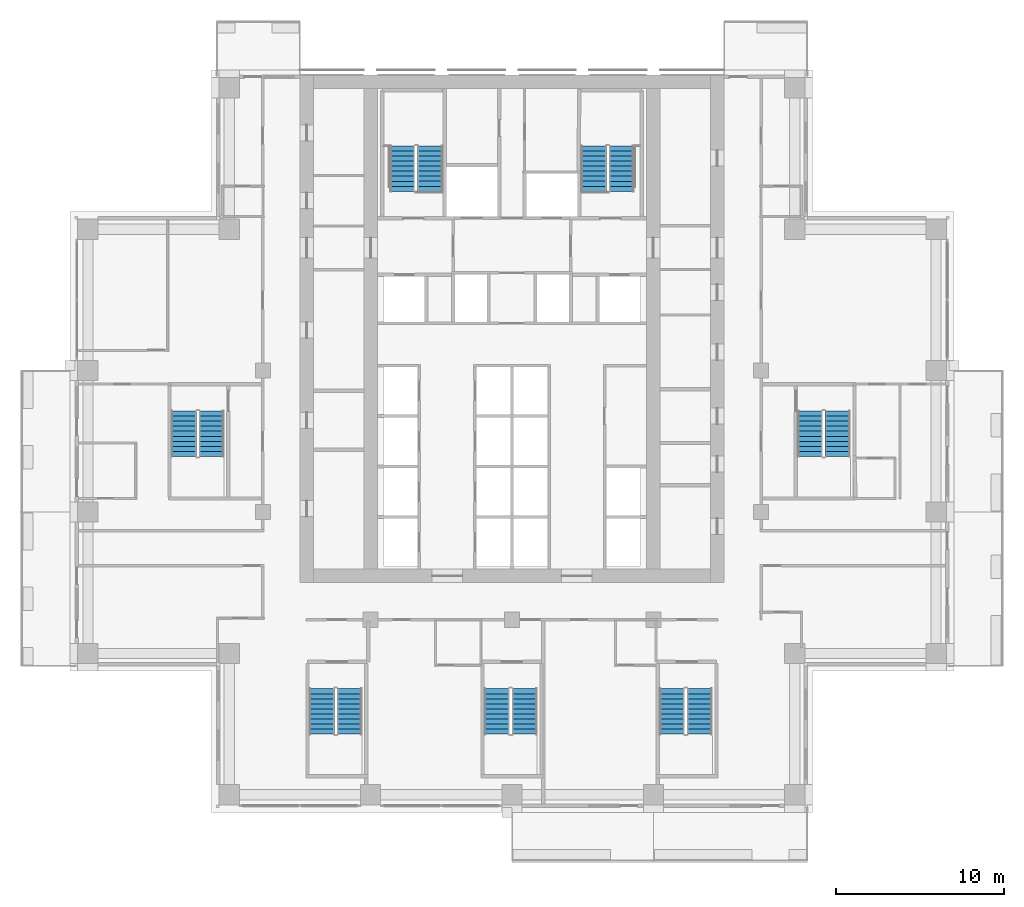
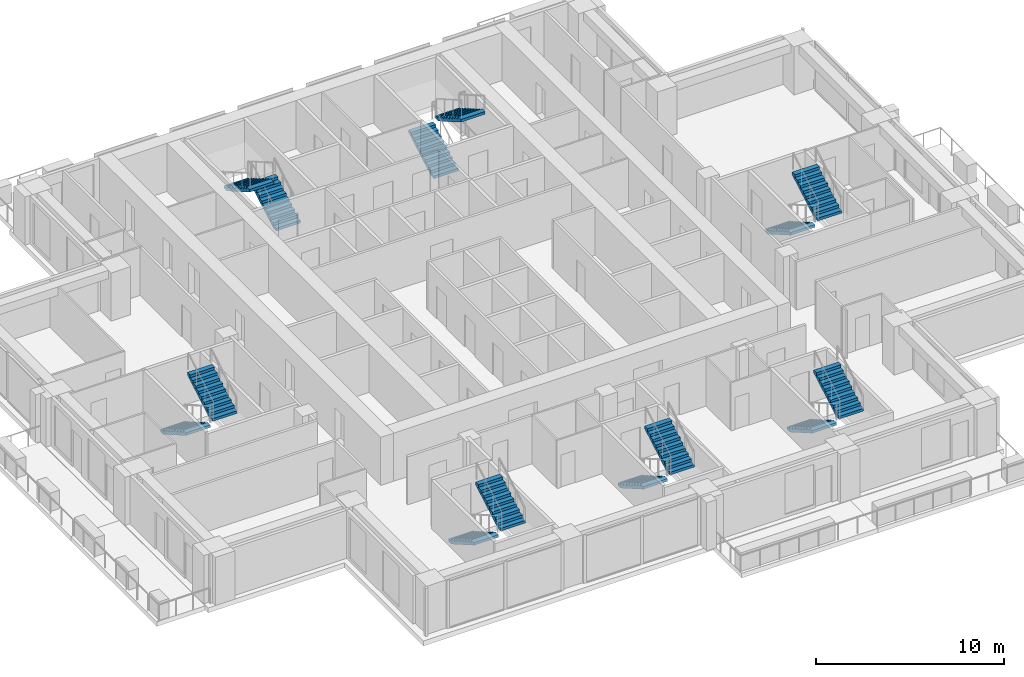
# One storey, part 14 of 18: 14 stair flights, 7 elements without a shape of their own.
"""IFC4 building model written with IfcOpenShell, lengths in metres."""

from ifc_helpers import new_model, si_unit, direction, frame, origin, place, context, subcontext, project, spatial, polyline, outline, extrude, material, type_object, element, aggregate, save


model = new_model("IFC4")

# Units and contexts
model_context = context("Model", 3, precision=1e-05, world=origin(), true_north=direction((0.0, 1.0)))
body_context = subcontext(model_context, "Body", "Model", "MODEL_VIEW")
ifc_project = project(units=[si_unit("LENGTHUNIT", "METRE"), si_unit("AREAUNIT", "SQUARE_METRE"), si_unit("VOLUMEUNIT", "CUBIC_METRE"), si_unit("PLANEANGLEUNIT", "RADIAN"), si_unit("MASSUNIT", "GRAM", prefix="KILO")], contexts=[model_context])

# Site, building, storey
site_placement = place(None, origin())
site = spatial("IfcSite", under=ifc_project, at=site_placement, CompositionType="ELEMENT")
building_placement = place(site_placement, origin())
building = spatial("IfcBuilding", under=site, at=building_placement, Name="Vermilion Ogive Tower", CompositionType="ELEMENT")
storey_placement = place(building_placement, frame((0.0, 0.0, 108.0)))
storey = spatial("IfcBuildingStorey", under=building, at=storey_placement, Name="L27", CompositionType="ELEMENT", Elevation=108.0)

# Stair, stair flights
ifc_material_1 = material(Name="Concrete B40", Category="concrete")
stair_type = type_object("IfcStairType", Name="Exit stair 1500", PredefinedType="HALF_TURN_STAIR", material=ifc_material_1)
stair_1_placement = place(storey_placement, origin())
stair_1 = element("IfcStair", 1, at=stair_1_placement, inside=storey, type_object=stair_type, Name="L27 Exit Stair ST1", PredefinedType="HALF_TURN_STAIR")
ifc_material_2 = material(Name="Concrete B40", Category="concrete")
stair_flight_type = type_object("IfcStairFlightType", Name="Stair flight 1500", PredefinedType="STRAIGHT", material=ifc_material_2)
stair_flight_1_placement = place(storey_placement, frame((-4.85009765625, 14.85009765625, 0.0), z_axis=(0.0, 0.0, 1.0), x_axis=(0.0, 1.0, 0.0)))
stair_flight_1 = element("IfcStairFlight", 2, at=stair_flight_1_placement, type_object=stair_flight_type, Name="ST1 flight 1", NumberOfRisers=10, NumberOfTreads=9, PredefinedType="STRAIGHT", RiserHeight=0.1725, TreadLength=0.3, context=body_context, shape_type="SweptSolid", body=[
    extrude(outline(polyline([(0.0, 0.0), (0.0, 0.172607421875), (0.300048828125, 0.172607421875), (0.300048828125, 0.344970703125), (0.60009765625, 0.344970703125), (0.60009765625, 0.517578125), (0.89990234375, 0.517578125), (0.89990234375, 0.68994140625), (1.199951171875, 0.68994140625), (1.199951171875, 0.862548828125), (1.5, 0.862548828125), (1.5, 1.034912109375), (1.800048828125, 1.034912109375), (1.800048828125, 1.20751953125), (2.10009765625, 1.20751953125), (2.10009765625, 1.3798828125), (2.39990234375, 1.3798828125), (2.39990234375, 1.552490234375), (2.699951171875, 1.552490234375), (2.699951171875, 1.72509765625), (2.699951171875, 1.379638671875), (0.30078125, 0.0), (0.0, 0.0)])), frame((0.0, 0.75, 0.0), z_axis=(0.0, -1.0, 0.0), x_axis=(1.0, 0.0, 0.0)), (0.0, 0.0, 1.0), 1.5),
])
stair_flight_2_placement = place(storey_placement, frame((-6.5, 17.550048828125, 1.72509765625), z_axis=(0.0, 0.0, 1.0), x_axis=(0.0, -1.0, 0.0)))
stair_flight_2 = element("IfcStairFlight", 3, at=stair_flight_2_placement, type_object=stair_flight_type, Name="ST1 flight 2", NumberOfRisers=10, NumberOfTreads=9, PredefinedType="STRAIGHT", RiserHeight=0.1725, TreadLength=0.3, context=body_context, shape_type="SweptSolid", body=[
    extrude(outline(polyline([(0.0, 0.0), (0.0, 0.172607421875), (0.300048828125, 0.172607421875), (0.300048828125, 0.344970703125), (0.60009765625, 0.344970703125), (0.60009765625, 0.517578125), (0.89990234375, 0.517578125), (0.89990234375, 0.68994140625), (1.199951171875, 0.68994140625), (1.199951171875, 0.862548828125), (1.5, 0.862548828125), (1.5, 1.034912109375), (1.800048828125, 1.034912109375), (1.800048828125, 1.20751953125), (2.10009765625, 1.20751953125), (2.10009765625, 1.3798828125), (2.39990234375, 1.3798828125), (2.39990234375, 1.552490234375), (2.699951171875, 1.552490234375), (2.699951171875, 1.72509765625), (2.699951171875, 1.379638671875), (0.30078125, 0.0), (0.0, 0.0)])), frame((0.0, 0.75, 0.0), z_axis=(0.0, -1.0, 0.0), x_axis=(1.0, 0.0, 0.0)), (0.0, 0.0, 1.0), 1.5),
])
aggregate(stair_1, [stair_flight_1, stair_flight_2])

stair_2_placement = place(storey_placement, origin())
stair_2 = element("IfcStair", 4, at=stair_2_placement, inside=storey, type_object=stair_type, Name="L27 Exit Stair ST2", PredefinedType="HALF_TURN_STAIR")
stair_flight_3_placement = place(storey_placement, frame((4.85009765625, 14.85009765625, 0.0), z_axis=(0.0, 0.0, 1.0), x_axis=(0.0, 1.0, 0.0)))
stair_flight_3 = element("IfcStairFlight", 5, at=stair_flight_3_placement, type_object=stair_flight_type, Name="ST2 flight 1", NumberOfRisers=10, NumberOfTreads=9, PredefinedType="STRAIGHT", RiserHeight=0.1725, TreadLength=0.3, context=body_context, shape_type="SweptSolid", body=[
    extrude(outline(polyline([(0.0, 0.0), (0.0, 0.172607421875), (0.300048828125, 0.172607421875), (0.300048828125, 0.344970703125), (0.60009765625, 0.344970703125), (0.60009765625, 0.517578125), (0.89990234375, 0.517578125), (0.89990234375, 0.68994140625), (1.199951171875, 0.68994140625), (1.199951171875, 0.862548828125), (1.5, 0.862548828125), (1.5, 1.034912109375), (1.800048828125, 1.034912109375), (1.800048828125, 1.20751953125), (2.10009765625, 1.20751953125), (2.10009765625, 1.3798828125), (2.39990234375, 1.3798828125), (2.39990234375, 1.552490234375), (2.699951171875, 1.552490234375), (2.699951171875, 1.72509765625), (2.699951171875, 1.379638671875), (0.30078125, 0.0), (0.0, 0.0)])), frame((0.0, 0.75, 0.0), z_axis=(0.0, -1.0, 0.0), x_axis=(1.0, 0.0, 0.0)), (0.0, 0.0, 1.0), 1.5),
])
stair_flight_4_placement = place(storey_placement, frame((6.5, 17.550048828125, 1.72509765625), z_axis=(0.0, 0.0, 1.0), x_axis=(0.0, -1.0, 0.0)))
stair_flight_4 = element("IfcStairFlight", 6, at=stair_flight_4_placement, type_object=stair_flight_type, Name="ST2 flight 2", NumberOfRisers=10, NumberOfTreads=9, PredefinedType="STRAIGHT", RiserHeight=0.1725, TreadLength=0.3, context=body_context, shape_type="SweptSolid", body=[
    extrude(outline(polyline([(0.0, 0.0), (0.0, 0.172607421875), (0.300048828125, 0.172607421875), (0.300048828125, 0.344970703125), (0.60009765625, 0.344970703125), (0.60009765625, 0.517578125), (0.89990234375, 0.517578125), (0.89990234375, 0.68994140625), (1.199951171875, 0.68994140625), (1.199951171875, 0.862548828125), (1.5, 0.862548828125), (1.5, 1.034912109375), (1.800048828125, 1.034912109375), (1.800048828125, 1.20751953125), (2.10009765625, 1.20751953125), (2.10009765625, 1.3798828125), (2.39990234375, 1.3798828125), (2.39990234375, 1.552490234375), (2.699951171875, 1.552490234375), (2.699951171875, 1.72509765625), (2.699951171875, 1.379638671875), (0.30078125, 0.0), (0.0, 0.0)])), frame((0.0, 0.75, 0.0), z_axis=(0.0, -1.0, 0.0), x_axis=(1.0, 0.0, 0.0)), (0.0, 0.0, 1.0), 1.5),
])
aggregate(stair_2, [stair_flight_3, stair_flight_4])

stair_3_placement = place(storey_placement, origin())
stair_3 = element("IfcStair", 7, at=stair_3_placement, inside=storey, type_object=stair_type, Name="L27 Exit Stair ST3", PredefinedType="HALF_TURN_STAIR")
stair_flight_5_placement = place(storey_placement, frame((-11.300048828125, -14.699951171875, 0.0), z_axis=(0.0, 0.0, 1.0), x_axis=(0.0, -1.0, 0.0)))
stair_flight_5 = element("IfcStairFlight", 8, at=stair_flight_5_placement, type_object=stair_flight_type, Name="ST3 flight 1", NumberOfRisers=10, NumberOfTreads=9, PredefinedType="STRAIGHT", RiserHeight=0.1725, TreadLength=0.3, context=body_context, shape_type="SweptSolid", body=[
    extrude(outline(polyline([(0.0, 0.0), (0.0, 0.172607421875), (0.300048828125, 0.172607421875), (0.300048828125, 0.344970703125), (0.60009765625, 0.344970703125), (0.60009765625, 0.517578125), (0.89990234375, 0.517578125), (0.89990234375, 0.68994140625), (1.199951171875, 0.68994140625), (1.199951171875, 0.862548828125), (1.5, 0.862548828125), (1.5, 1.034912109375), (1.800048828125, 1.034912109375), (1.800048828125, 1.20751953125), (2.10009765625, 1.20751953125), (2.10009765625, 1.3798828125), (2.39990234375, 1.3798828125), (2.39990234375, 1.552490234375), (2.699951171875, 1.552490234375), (2.699951171875, 1.72509765625), (2.699951171875, 1.379638671875), (0.30078125, 0.0), (0.0, 0.0)])), frame((0.0, 0.75, 0.0), z_axis=(0.0, -1.0, 0.0), x_axis=(1.0, 0.0, 0.0)), (0.0, 0.0, 1.0), 1.5),
])
stair_flight_6_placement = place(storey_placement, frame((-9.64990234375, -17.39990234375, 1.72509765625), z_axis=(0.0, 0.0, 1.0), x_axis=(0.0, 1.0, 0.0)))
stair_flight_6 = element("IfcStairFlight", 9, at=stair_flight_6_placement, type_object=stair_flight_type, Name="ST3 flight 2", NumberOfRisers=10, NumberOfTreads=9, PredefinedType="STRAIGHT", RiserHeight=0.1725, TreadLength=0.3, context=body_context, shape_type="SweptSolid", body=[
    extrude(outline(polyline([(0.0, 0.0), (0.0, 0.172607421875), (0.300048828125, 0.172607421875), (0.300048828125, 0.344970703125), (0.60009765625, 0.344970703125), (0.60009765625, 0.517578125), (0.89990234375, 0.517578125), (0.89990234375, 0.68994140625), (1.199951171875, 0.68994140625), (1.199951171875, 0.862548828125), (1.5, 0.862548828125), (1.5, 1.034912109375), (1.800048828125, 1.034912109375), (1.800048828125, 1.20751953125), (2.10009765625, 1.20751953125), (2.10009765625, 1.3798828125), (2.39990234375, 1.3798828125), (2.39990234375, 1.552490234375), (2.699951171875, 1.552490234375), (2.699951171875, 1.72509765625), (2.699951171875, 1.379638671875), (0.30078125, 0.0), (0.0, 0.0)])), frame((0.0, 0.75, 0.0), z_axis=(0.0, -1.0, 0.0), x_axis=(1.0, 0.0, 0.0)), (0.0, 0.0, 1.0), 1.5),
])
aggregate(stair_3, [stair_flight_5, stair_flight_6])

stair_4_placement = place(storey_placement, origin())
stair_4 = element("IfcStair", 10, at=stair_4_placement, inside=storey, type_object=stair_type, Name="L27 Exit Stair ST4", PredefinedType="HALF_TURN_STAIR")
stair_flight_7_placement = place(storey_placement, frame((-0.89990234375, -14.699951171875, 0.0), z_axis=(0.0, 0.0, 1.0), x_axis=(0.0, -1.0, 0.0)))
stair_flight_7 = element("IfcStairFlight", 11, at=stair_flight_7_placement, type_object=stair_flight_type, Name="ST4 flight 1", NumberOfRisers=10, NumberOfTreads=9, PredefinedType="STRAIGHT", RiserHeight=0.1725, TreadLength=0.3, context=body_context, shape_type="SweptSolid", body=[
    extrude(outline(polyline([(0.0, 0.0), (0.0, 0.172607421875), (0.300048828125, 0.172607421875), (0.300048828125, 0.344970703125), (0.60009765625, 0.344970703125), (0.60009765625, 0.517578125), (0.89990234375, 0.517578125), (0.89990234375, 0.68994140625), (1.199951171875, 0.68994140625), (1.199951171875, 0.862548828125), (1.5, 0.862548828125), (1.5, 1.034912109375), (1.800048828125, 1.034912109375), (1.800048828125, 1.20751953125), (2.10009765625, 1.20751953125), (2.10009765625, 1.3798828125), (2.39990234375, 1.3798828125), (2.39990234375, 1.552490234375), (2.699951171875, 1.552490234375), (2.699951171875, 1.72509765625), (2.699951171875, 1.379638671875), (0.30078125, 0.0), (0.0, 0.0)])), frame((0.0, 0.75, 0.0), z_axis=(0.0, -1.0, 0.0), x_axis=(1.0, 0.0, 0.0)), (0.0, 0.0, 1.0), 1.5),
])
stair_flight_8_placement = place(storey_placement, frame((0.75, -17.39990234375, 1.72509765625), z_axis=(0.0, 0.0, 1.0), x_axis=(0.0, 1.0, 0.0)))
stair_flight_8 = element("IfcStairFlight", 12, at=stair_flight_8_placement, type_object=stair_flight_type, Name="ST4 flight 2", NumberOfRisers=10, NumberOfTreads=9, PredefinedType="STRAIGHT", RiserHeight=0.1725, TreadLength=0.3, context=body_context, shape_type="SweptSolid", body=[
    extrude(outline(polyline([(0.0, 0.0), (0.0, 0.172607421875), (0.300048828125, 0.172607421875), (0.300048828125, 0.344970703125), (0.60009765625, 0.344970703125), (0.60009765625, 0.517578125), (0.89990234375, 0.517578125), (0.89990234375, 0.68994140625), (1.199951171875, 0.68994140625), (1.199951171875, 0.862548828125), (1.5, 0.862548828125), (1.5, 1.034912109375), (1.800048828125, 1.034912109375), (1.800048828125, 1.20751953125), (2.10009765625, 1.20751953125), (2.10009765625, 1.3798828125), (2.39990234375, 1.3798828125), (2.39990234375, 1.552490234375), (2.699951171875, 1.552490234375), (2.699951171875, 1.72509765625), (2.699951171875, 1.379638671875), (0.30078125, 0.0), (0.0, 0.0)])), frame((0.0, 0.75, 0.0), z_axis=(0.0, -1.0, 0.0), x_axis=(1.0, 0.0, 0.0)), (0.0, 0.0, 1.0), 1.5),
])
aggregate(stair_4, [stair_flight_7, stair_flight_8])

stair_5_placement = place(storey_placement, origin())
stair_5 = element("IfcStair", 13, at=stair_5_placement, inside=storey, type_object=stair_type, Name="L27 Exit Stair ST5", PredefinedType="HALF_TURN_STAIR")
stair_flight_9_placement = place(storey_placement, frame((9.5, -14.699951171875, 0.0), z_axis=(0.0, 0.0, 1.0), x_axis=(0.0, -1.0, 0.0)))
stair_flight_9 = element("IfcStairFlight", 14, at=stair_flight_9_placement, type_object=stair_flight_type, Name="ST5 flight 1", NumberOfRisers=10, NumberOfTreads=9, PredefinedType="STRAIGHT", RiserHeight=0.1725, TreadLength=0.3, context=body_context, shape_type="SweptSolid", body=[
    extrude(outline(polyline([(0.0, 0.0), (0.0, 0.172607421875), (0.300048828125, 0.172607421875), (0.300048828125, 0.344970703125), (0.60009765625, 0.344970703125), (0.60009765625, 0.517578125), (0.89990234375, 0.517578125), (0.89990234375, 0.68994140625), (1.199951171875, 0.68994140625), (1.199951171875, 0.862548828125), (1.5, 0.862548828125), (1.5, 1.034912109375), (1.800048828125, 1.034912109375), (1.800048828125, 1.20751953125), (2.10009765625, 1.20751953125), (2.10009765625, 1.3798828125), (2.39990234375, 1.3798828125), (2.39990234375, 1.552490234375), (2.699951171875, 1.552490234375), (2.699951171875, 1.72509765625), (2.699951171875, 1.379638671875), (0.30078125, 0.0), (0.0, 0.0)])), frame((0.0, 0.75, 0.0), z_axis=(0.0, -1.0, 0.0), x_axis=(1.0, 0.0, 0.0)), (0.0, 0.0, 1.0), 1.5),
])
stair_flight_10_placement = place(storey_placement, frame((11.14990234375, -17.39990234375, 1.72509765625), z_axis=(0.0, 0.0, 1.0), x_axis=(0.0, 1.0, 0.0)))
stair_flight_10 = element("IfcStairFlight", 15, at=stair_flight_10_placement, type_object=stair_flight_type, Name="ST5 flight 2", NumberOfRisers=10, NumberOfTreads=9, PredefinedType="STRAIGHT", RiserHeight=0.1725, TreadLength=0.3, context=body_context, shape_type="SweptSolid", body=[
    extrude(outline(polyline([(0.0, 0.0), (0.0, 0.172607421875), (0.300048828125, 0.172607421875), (0.300048828125, 0.344970703125), (0.60009765625, 0.344970703125), (0.60009765625, 0.517578125), (0.89990234375, 0.517578125), (0.89990234375, 0.68994140625), (1.199951171875, 0.68994140625), (1.199951171875, 0.862548828125), (1.5, 0.862548828125), (1.5, 1.034912109375), (1.800048828125, 1.034912109375), (1.800048828125, 1.20751953125), (2.10009765625, 1.20751953125), (2.10009765625, 1.3798828125), (2.39990234375, 1.3798828125), (2.39990234375, 1.552490234375), (2.699951171875, 1.552490234375), (2.699951171875, 1.72509765625), (2.699951171875, 1.379638671875), (0.30078125, 0.0), (0.0, 0.0)])), frame((0.0, 0.75, 0.0), z_axis=(0.0, -1.0, 0.0), x_axis=(1.0, 0.0, 0.0)), (0.0, 0.0, 1.0), 1.5),
])
aggregate(stair_5, [stair_flight_9, stair_flight_10])

stair_6_placement = place(storey_placement, origin())
stair_6 = element("IfcStair", 16, at=stair_6_placement, inside=storey, type_object=stair_type, Name="L27 Exit Stair ST8", PredefinedType="HALF_TURN_STAIR")
stair_flight_11_placement = place(storey_placement, frame((17.699951171875, 1.800048828125, 0.0), z_axis=(0.0, 0.0, 1.0), x_axis=(0.0, -1.0, 0.0)))
stair_flight_11 = element("IfcStairFlight", 17, at=stair_flight_11_placement, type_object=stair_flight_type, Name="ST8 flight 1", NumberOfRisers=10, NumberOfTreads=9, PredefinedType="STRAIGHT", RiserHeight=0.1725, TreadLength=0.3, context=body_context, shape_type="SweptSolid", body=[
    extrude(outline(polyline([(0.0, 0.0), (0.0, 0.172607421875), (0.300048828125, 0.172607421875), (0.300048828125, 0.344970703125), (0.60009765625, 0.344970703125), (0.60009765625, 0.517578125), (0.89990234375, 0.517578125), (0.89990234375, 0.68994140625), (1.199951171875, 0.68994140625), (1.199951171875, 0.862548828125), (1.5, 0.862548828125), (1.5, 1.034912109375), (1.800048828125, 1.034912109375), (1.800048828125, 1.20751953125), (2.10009765625, 1.20751953125), (2.10009765625, 1.3798828125), (2.39990234375, 1.3798828125), (2.39990234375, 1.552490234375), (2.699951171875, 1.552490234375), (2.699951171875, 1.72509765625), (2.699951171875, 1.379638671875), (0.30078125, 0.0), (0.0, 0.0)])), frame((0.0, 0.75, 0.0), z_axis=(0.0, -1.0, 0.0), x_axis=(1.0, 0.0, 0.0)), (0.0, 0.0, 1.0), 1.5),
])
stair_flight_12_placement = place(storey_placement, frame((19.35009765625, -0.89990234375, 1.72509765625), z_axis=(0.0, 0.0, 1.0), x_axis=(0.0, 1.0, 0.0)))
stair_flight_12 = element("IfcStairFlight", 18, at=stair_flight_12_placement, type_object=stair_flight_type, Name="ST8 flight 2", NumberOfRisers=10, NumberOfTreads=9, PredefinedType="STRAIGHT", RiserHeight=0.1725, TreadLength=0.3, context=body_context, shape_type="SweptSolid", body=[
    extrude(outline(polyline([(0.0, 0.0), (0.0, 0.172607421875), (0.300048828125, 0.172607421875), (0.300048828125, 0.344970703125), (0.60009765625, 0.344970703125), (0.60009765625, 0.517578125), (0.89990234375, 0.517578125), (0.89990234375, 0.68994140625), (1.199951171875, 0.68994140625), (1.199951171875, 0.862548828125), (1.5, 0.862548828125), (1.5, 1.034912109375), (1.800048828125, 1.034912109375), (1.800048828125, 1.20751953125), (2.10009765625, 1.20751953125), (2.10009765625, 1.3798828125), (2.39990234375, 1.3798828125), (2.39990234375, 1.552490234375), (2.699951171875, 1.552490234375), (2.699951171875, 1.72509765625), (2.699951171875, 1.379638671875), (0.30078125, 0.0), (0.0, 0.0)])), frame((0.0, 0.75, 0.0), z_axis=(0.0, -1.0, 0.0), x_axis=(1.0, 0.0, 0.0)), (0.0, 0.0, 1.0), 1.5),
])
aggregate(stair_6, [stair_flight_11, stair_flight_12])

stair_7_placement = place(storey_placement, origin())
stair_7 = element("IfcStair", 19, at=stair_7_placement, inside=storey, type_object=stair_type, Name="L27 Exit Stair ST9", PredefinedType="HALF_TURN_STAIR")
stair_flight_13_placement = place(storey_placement, frame((-19.5, 1.800048828125, 0.0), z_axis=(0.0, 0.0, 1.0), x_axis=(0.0, -1.0, 0.0)))
stair_flight_13 = element("IfcStairFlight", 20, at=stair_flight_13_placement, type_object=stair_flight_type, Name="ST9 flight 1", NumberOfRisers=10, NumberOfTreads=9, PredefinedType="STRAIGHT", RiserHeight=0.1725, TreadLength=0.3, context=body_context, shape_type="SweptSolid", body=[
    extrude(outline(polyline([(0.0, 0.0), (0.0, 0.172607421875), (0.300048828125, 0.172607421875), (0.300048828125, 0.344970703125), (0.60009765625, 0.344970703125), (0.60009765625, 0.517578125), (0.89990234375, 0.517578125), (0.89990234375, 0.68994140625), (1.199951171875, 0.68994140625), (1.199951171875, 0.862548828125), (1.5, 0.862548828125), (1.5, 1.034912109375), (1.800048828125, 1.034912109375), (1.800048828125, 1.20751953125), (2.10009765625, 1.20751953125), (2.10009765625, 1.3798828125), (2.39990234375, 1.3798828125), (2.39990234375, 1.552490234375), (2.699951171875, 1.552490234375), (2.699951171875, 1.72509765625), (2.699951171875, 1.379638671875), (0.30078125, 0.0), (0.0, 0.0)])), frame((0.0, 0.75, 0.0), z_axis=(0.0, -1.0, 0.0), x_axis=(1.0, 0.0, 0.0)), (0.0, 0.0, 1.0), 1.5),
])
stair_flight_14_placement = place(storey_placement, frame((-17.85009765625, -0.89990234375, 1.72509765625), z_axis=(0.0, 0.0, 1.0), x_axis=(0.0, 1.0, 0.0)))
stair_flight_14 = element("IfcStairFlight", 21, at=stair_flight_14_placement, type_object=stair_flight_type, Name="ST9 flight 2", NumberOfRisers=10, NumberOfTreads=9, PredefinedType="STRAIGHT", RiserHeight=0.1725, TreadLength=0.3, context=body_context, shape_type="SweptSolid", body=[
    extrude(outline(polyline([(0.0, 0.0), (0.0, 0.172607421875), (0.300048828125, 0.172607421875), (0.300048828125, 0.344970703125), (0.60009765625, 0.344970703125), (0.60009765625, 0.517578125), (0.89990234375, 0.517578125), (0.89990234375, 0.68994140625), (1.199951171875, 0.68994140625), (1.199951171875, 0.862548828125), (1.5, 0.862548828125), (1.5, 1.034912109375), (1.800048828125, 1.034912109375), (1.800048828125, 1.20751953125), (2.10009765625, 1.20751953125), (2.10009765625, 1.3798828125), (2.39990234375, 1.3798828125), (2.39990234375, 1.552490234375), (2.699951171875, 1.552490234375), (2.699951171875, 1.72509765625), (2.699951171875, 1.379638671875), (0.30078125, 0.0), (0.0, 0.0)])), frame((0.0, 0.75, 0.0), z_axis=(0.0, -1.0, 0.0), x_axis=(1.0, 0.0, 0.0)), (0.0, 0.0, 1.0), 1.5),
])
aggregate(stair_7, [stair_flight_13, stair_flight_14])

save(model, "model.ifc")
